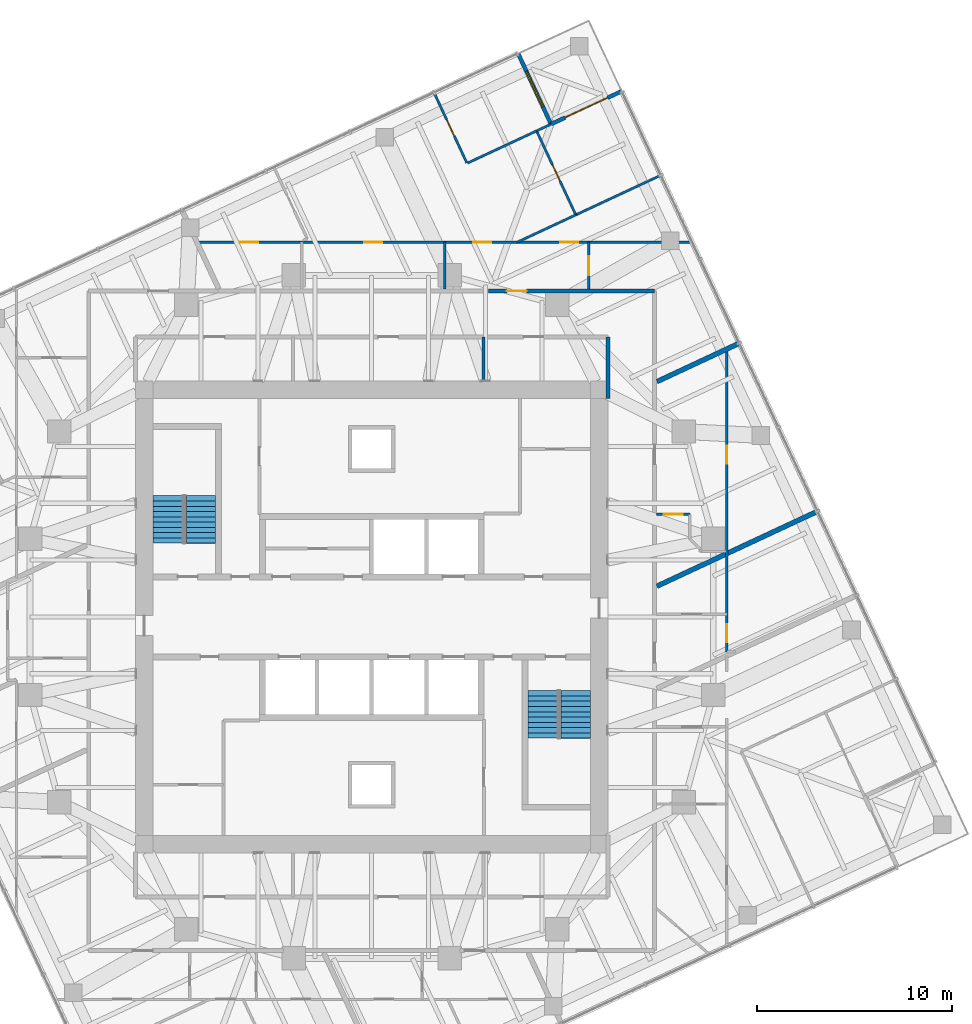
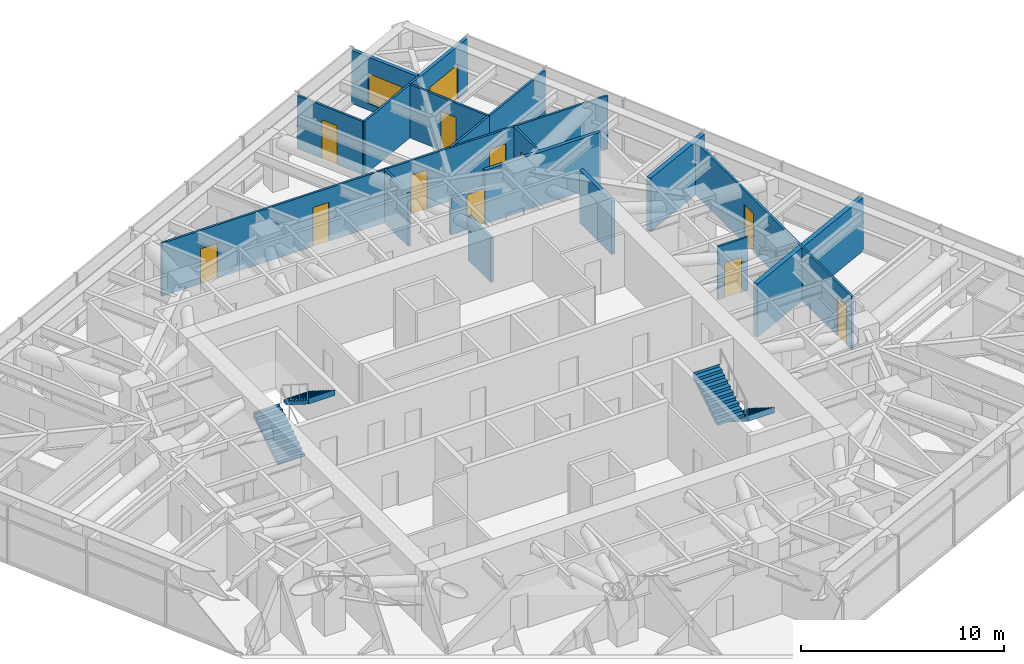
# One storey, part 14 of 16: 19 walls, 12 doors, 4 stair flights, 1 window, 13 openings, 2 elements without a shape of their own.
"""IFC4 building model written with IfcOpenShell, lengths in metres."""

from ifc_helpers import new_model, si_unit, direction, frame, frame_2d, origin, place, context, subcontext, project, spatial, polyline, rectangle, outline, extrude, material, layer, layer_set, type_object, element, fill, aggregate, save


model = new_model("IFC4")

# Units and contexts
model_context = context("Model", 3, precision=1e-05, world=origin(), true_north=direction((0.0, 1.0)))
body_context = subcontext(model_context, "Body", "Model", "MODEL_VIEW")
ifc_project = project(units=[si_unit("LENGTHUNIT", "METRE"), si_unit("AREAUNIT", "SQUARE_METRE"), si_unit("VOLUMEUNIT", "CUBIC_METRE"), si_unit("PLANEANGLEUNIT", "RADIAN"), si_unit("MASSUNIT", "GRAM", prefix="KILO")], contexts=[model_context])

# Site, building, storey
site_placement = place(None, origin())
site = spatial("IfcSite", under=ifc_project, at=site_placement, CompositionType="ELEMENT")
building_placement = place(site_placement, origin())
building = spatial("IfcBuilding", under=site, at=building_placement, Name="Torsade Residences", CompositionType="ELEMENT")
storey_placement = place(building_placement, frame((0.0, 0.0, 199.800048828125)))
storey = spatial("IfcBuildingStorey", under=building, at=storey_placement, Name="L55", CompositionType="ELEMENT", Elevation=199.800048828125)

# Wall
ifc_material_1 = material(Name="Plasterboard on steel stud", Category="steel")
ifc_layer_1 = layer(ifc_material_1, 0.199951171875)
ifc_layer_set_1 = layer_set([ifc_layer_1], Name="Plasterboard on steel stud")
wall_type_1 = type_object("IfcWallType", Name="CORRIDOR WALL 200", PredefinedType="PARTITIONING", material=ifc_layer_set_1)
wall_1_placement = place(storey_placement, frame((54.5, 46.699951171875, 0.0), z_axis=(0.0, 0.0, 1.0), x_axis=(-1.0, 0.0, 0.0)))
element("IfcWall", 1, at=wall_1_placement, inside=storey, type_object=wall_type_1, Name="Corridor wall L55", PredefinedType="PARTITIONING", context=body_context, shape_type="SweptSolid", body=[
    extrude(rectangle(XDim=6.558349609375, YDim=0.199951171875, at=frame_2d((3.279296875, 0.0))), origin(), (0.0, 0.0, 1.0), 3.199951171875),
])

# Wall, opening, door
wall_2_placement = place(storey_placement, frame((47.941650390625, 46.699951171875, 0.0), z_axis=(0.0, 0.0, 1.0), x_axis=(-1.0, 0.0, 0.0)))
wall_2 = element("IfcWall", 2, at=wall_2_placement, inside=storey, type_object=wall_type_1, Name="Corridor wall L55", PredefinedType="PARTITIONING", context=body_context, shape_type="SweptSolid", body=[
    extrude(rectangle(XDim=1.945068359375, YDim=0.199951171875, at=frame_2d((0.97265625, 0.0))), origin(), (0.0, 0.0, 1.0), 2.199951171875),
])
opening_1_placement = place(wall_2_placement, origin())
opening_1 = element("IfcOpeningElement", 3, at=opening_1_placement, cuts=wall_2, Name="Opening D01L", PredefinedType="OPENING", context=body_context, shape_type="SweptSolid", body=[
    extrude(rectangle(XDim=1.02001953125, YDim=2.10009765625, at=frame_2d((0.510009765625, 1.050048828125))), frame((0.0, 0.10986328125, 0.0), z_axis=(0.0, -1.0, 0.0), x_axis=(1.0, 0.0, 0.0)), (0.0, 0.0, 1.0), 0.219970703125),
])
ifc_material_2 = material(Name="Solid-core timber fire door", Category="wood")
door_type_1 = type_object("IfcDoorType", Name="APARTMENT ENTRY DOOR 1020x2100", OperationType="NOTDEFINED", PredefinedType="DOOR", material=ifc_material_2)
door_1_placement = place(opening_1_placement, origin())
door_1 = element("IfcDoor", 4, at=door_1_placement, inside=storey, type_object=door_type_1, Name="Door Residential corridor to Kitchen and dining", OperationType="SINGLE_SWING_LEFT", OverallHeight=2.10009765625, OverallWidth=1.02001953125, PredefinedType="DOOR", context=body_context, shape_type="SweptSolid", body=[
    extrude(rectangle(XDim=1.02001953125, YDim=2.10009765625, at=frame_2d((0.510009765625, 1.050048828125))), frame((0.0, 0.02490234375, 0.0), z_axis=(0.0, -1.0, 0.0), x_axis=(1.0, 0.0, 0.0)), (0.0, 0.0, 1.0), 0.050048828125),
])
fill(opening_1, door_1)

# Wall
wall_3_placement = place(storey_placement, frame((52.10009765625, 41.179931640625, 0.0), z_axis=(0.0, 0.0, 1.0), x_axis=(0.0, 1.0, 0.0)))
element("IfcWall", 5, at=wall_3_placement, inside=storey, type_object=wall_type_1, Name="Corridor wall L55", PredefinedType="PARTITIONING", context=body_context, shape_type="SweptSolid", body=[
    extrude(rectangle(XDim=3.170166015625, YDim=0.199951171875, at=frame_2d((1.5849609375, 0.0))), origin(), (0.0, 0.0, 1.0), 3.199951171875),
])

# Wall, openings, doors
ifc_material_3 = material(Name="Plasterboard on steel stud", Category="steel")
ifc_layer_2 = layer(ifc_material_3, 0.1201171875)
ifc_layer_set_2 = layer_set([ifc_layer_2], Name="Plasterboard on steel stud")
wall_type_2 = type_object("IfcWallType", Name="PARTITION 120", PredefinedType="PARTITIONING", material=ifc_layer_set_2)
wall_4_placement = place(storey_placement, frame((58.199951171875, 43.727783203125, 0.0), z_axis=(0.0, 0.0, 1.0), x_axis=(0.0, -1.0, 0.0)))
wall_4 = element("IfcWall", 6, at=wall_4_placement, inside=storey, type_object=wall_type_2, Name="Partition L55", PredefinedType="PARTITIONING", context=body_context, shape_type="SweptSolid", body=[
    extrude(rectangle(XDim=15.51318359375, YDim=0.1201171875, at=frame_2d((7.756591796875, 0.0))), origin(), (0.0, 0.0, 1.0), 3.199951171875),
])
opening_2_placement = place(wall_4_placement, frame((4.953857421875, 0.0, 0.0)))
opening_2 = element("IfcOpeningElement", 7, at=opening_2_placement, cuts=wall_4, Name="Opening D02", PredefinedType="OPENING", context=body_context, shape_type="SweptSolid", body=[
    extrude(rectangle(XDim=0.919921875, YDim=2.340087890625, at=frame_2d((0.4599609375, 1.169921875))), frame((0.0, 0.070068359375, 0.0), z_axis=(0.0, -1.0, 0.0), x_axis=(1.0, 0.0, 0.0)), (0.0, 0.0, 1.0), 0.14013671875),
])
opening_3_placement = place(wall_4_placement, frame((14.094970703125, 0.0, 0.0)))
opening_3 = element("IfcOpeningElement", 8, at=opening_3_placement, cuts=wall_4, Name="Opening D02", PredefinedType="OPENING", context=body_context, shape_type="SweptSolid", body=[
    extrude(rectangle(XDim=0.919921875, YDim=2.340087890625, at=frame_2d((0.4599609375, 1.169921875))), frame((0.0, 0.070068359375, 0.0), z_axis=(0.0, -1.0, 0.0), x_axis=(1.0, 0.0, 0.0)), (0.0, 0.0, 1.0), 0.14013671875),
])
ifc_material_4 = material(Name="Hollow-core timber door", Category="wood")
door_type_2 = type_object("IfcDoorType", Name="INTERNAL DOOR 920x2340", OperationType="NOTDEFINED", PredefinedType="DOOR", material=ifc_material_4)
door_2_placement = place(opening_2_placement, origin())
door_2 = element("IfcDoor", 9, at=door_2_placement, inside=storey, type_object=door_type_2, Name="Door Kitchen and dining to Studio living and sleeping", OperationType="SINGLE_SWING_RIGHT", OverallHeight=2.340087890625, OverallWidth=0.919921875, PredefinedType="DOOR", context=body_context, shape_type="SweptSolid", body=[
    extrude(rectangle(XDim=0.919921875, YDim=2.340087890625, at=frame_2d((0.4599609375, 1.169921875))), frame((0.0, 0.02490234375, 0.0), z_axis=(0.0, -1.0, 0.0), x_axis=(1.0, 0.0, 0.0)), (0.0, 0.0, 1.0), 0.050048828125),
])
fill(opening_2, door_2)
door_3_placement = place(opening_3_placement, origin())
door_3 = element("IfcDoor", 10, at=door_3_placement, inside=storey, type_object=door_type_2, Name="Door Kitchen and dining to Studio living and sleeping", OperationType="SINGLE_SWING_RIGHT", OverallHeight=2.340087890625, OverallWidth=0.919921875, PredefinedType="DOOR", context=body_context, shape_type="SweptSolid", body=[
    extrude(rectangle(XDim=0.919921875, YDim=2.340087890625, at=frame_2d((0.4599609375, 1.169921875))), frame((0.0, 0.02490234375, 0.0), z_axis=(0.0, -1.0, 0.0), x_axis=(1.0, 0.0, 0.0)), (0.0, 0.0, 1.0), 0.050048828125),
])
fill(opening_3, door_3)

# Wall, opening, door
wall_5_placement = place(storey_placement, frame((56.300048828125, 35.259765625, 0.0), z_axis=(0.0, 0.0, 1.0), x_axis=(-1.0, 0.0, 0.0)))
wall_5 = element("IfcWall", 11, at=wall_5_placement, inside=storey, type_object=wall_type_2, Name="Partition L55", PredefinedType="PARTITIONING", context=body_context, shape_type="SweptSolid", body=[
    extrude(rectangle(XDim=1.699951171875, YDim=0.1201171875, at=frame_2d((0.85009765625, 0.0))), origin(), (0.0, 0.0, 1.0), 3.199951171875),
])
opening_4_placement = place(wall_5_placement, frame((0.3701171875, 0.0, 0.0)))
opening_4 = element("IfcOpeningElement", 12, at=opening_4_placement, cuts=wall_5, Name="Opening D05", PredefinedType="OPENING", context=body_context, shape_type="SweptSolid", body=[
    extrude(rectangle(XDim=0.9599609375, YDim=2.10009765625, at=frame_2d((0.47998046875, 1.050048828125))), frame((0.0, 0.070068359375, 0.0), z_axis=(0.0, -1.0, 0.0), x_axis=(1.0, 0.0, 0.0)), (0.0, 0.0, 1.0), 0.14013671875),
])
ifc_material_5 = material(Name="Hollow-core timber door in a steel cavity frame", Category="steel")
door_type_3 = type_object("IfcDoorType", Name="BATHROOM CAVITY SLIDING DOOR 960", OperationType="SLIDING_TO_LEFT", PredefinedType="DOOR", material=ifc_material_5)
door_4_placement = place(opening_4_placement, origin())
door_4 = element("IfcDoor", 13, at=door_4_placement, inside=storey, type_object=door_type_3, Name="Door Kitchen and dining to Bathroom", OperationType="SLIDING_TO_LEFT", OverallHeight=2.10009765625, OverallWidth=0.9599609375, PredefinedType="DOOR", context=body_context, shape_type="SweptSolid", body=[
    extrude(rectangle(XDim=0.9599609375, YDim=2.10009765625, at=frame_2d((0.47998046875, 1.050048828125))), frame((0.0, 0.02490234375, 0.0), z_axis=(0.0, -1.0, 0.0), x_axis=(1.0, 0.0, 0.0)), (0.0, 0.0, 1.0), 0.050048828125),
])
fill(opening_4, door_4)

wall_6_placement = place(storey_placement, frame((51.115966796875, 46.800048828125, 0.0), z_axis=(0.0, 0.0, 1.0), x_axis=(0.0, 1.0, 0.0)))
wall_6 = element("IfcWall", 14, at=wall_6_placement, inside=storey, type_object=wall_type_2, Name="Partition L55", PredefinedType="PARTITIONING", context=body_context, shape_type="SweptSolid", body=[
    extrude(rectangle(XDim=2.39990234375, YDim=0.1201171875, at=frame_2d((1.199951171875, 0.0))), origin(), (0.0, 0.0, 1.0), 3.199951171875),
])
opening_5_placement = place(wall_6_placement, frame((0.719970703125, 0.0, 0.0)))
opening_5 = element("IfcOpeningElement", 15, at=opening_5_placement, cuts=wall_6, Name="Opening D05", PredefinedType="OPENING", context=body_context, shape_type="SweptSolid", body=[
    extrude(rectangle(XDim=0.9599609375, YDim=2.10009765625, at=frame_2d((0.47998046875, 1.050048828125))), frame((0.0, 0.070068359375, 0.0), z_axis=(0.0, -1.0, 0.0), x_axis=(1.0, 0.0, 0.0)), (0.0, 0.0, 1.0), 0.14013671875),
])
door_5_placement = place(opening_5_placement, origin())
door_5 = element("IfcDoor", 16, at=door_5_placement, inside=storey, type_object=door_type_3, Name="Door Kitchen and dining to Bathroom", OperationType="SLIDING_TO_LEFT", OverallHeight=2.10009765625, OverallWidth=0.9599609375, PredefinedType="DOOR", context=body_context, shape_type="SweptSolid", body=[
    extrude(rectangle(XDim=0.9599609375, YDim=2.10009765625, at=frame_2d((0.47998046875, 1.050048828125))), frame((0.0, 0.02490234375, 0.0), z_axis=(0.0, -1.0, 0.0), x_axis=(1.0, 0.0, 0.0)), (0.0, 0.0, 1.0), 0.050048828125),
])
fill(opening_5, door_5)

# Wall, openings, doors
wall_7_placement = place(storey_placement, frame((31.046875, 49.199951171875, 0.0), z_axis=(0.0, 0.0, 1.0), x_axis=(1.0, 0.0, 0.0)))
wall_7 = element("IfcWall", 17, at=wall_7_placement, inside=storey, type_object=wall_type_2, Name="Partition L55", PredefinedType="PARTITIONING", context=body_context, shape_type="SweptSolid", body=[
    extrude(rectangle(XDim=25.33349609375, YDim=0.1201171875, at=frame_2d((12.666748046875, 0.0))), origin(), (0.0, 0.0, 1.0), 3.199951171875),
])
opening_6_placement = place(wall_7_placement, frame((14.154052734375, 0.0, 0.0)))
opening_6 = element("IfcOpeningElement", 18, at=opening_6_placement, cuts=wall_7, Name="Opening D02", PredefinedType="OPENING", context=body_context, shape_type="SweptSolid", body=[
    extrude(rectangle(XDim=0.919921875, YDim=2.340087890625, at=frame_2d((0.4599609375, 1.169921875))), frame((0.0, 0.070068359375, 0.0), z_axis=(0.0, -1.0, 0.0), x_axis=(1.0, 0.0, 0.0)), (0.0, 0.0, 1.0), 0.14013671875),
])
opening_7_placement = place(wall_7_placement, frame((18.619873046875, 0.0, 0.0)))
opening_7 = element("IfcOpeningElement", 19, at=opening_7_placement, cuts=wall_7, Name="Opening D02", PredefinedType="OPENING", context=body_context, shape_type="SweptSolid", body=[
    extrude(rectangle(XDim=0.919921875, YDim=2.340087890625, at=frame_2d((0.4599609375, 1.169921875))), frame((0.0, 0.070068359375, 0.0), z_axis=(0.0, -1.0, 0.0), x_axis=(1.0, 0.0, 0.0)), (0.0, 0.0, 1.0), 0.14013671875),
])
opening_8_placement = place(wall_7_placement, frame((8.575927734375, 0.0, 0.0)))
opening_8 = element("IfcOpeningElement", 20, at=opening_8_placement, cuts=wall_7, Name="Opening D02", PredefinedType="OPENING", context=body_context, shape_type="SweptSolid", body=[
    extrude(rectangle(XDim=0.919921875, YDim=2.340087890625, at=frame_2d((0.4599609375, 1.169921875))), frame((0.0, 0.070068359375, 0.0), z_axis=(0.0, -1.0, 0.0), x_axis=(1.0, 0.0, 0.0)), (0.0, 0.0, 1.0), 0.14013671875),
])
opening_9_placement = place(wall_7_placement, frame((2.1904296875, 0.0, 0.0)))
opening_9 = element("IfcOpeningElement", 21, at=opening_9_placement, cuts=wall_7, Name="Opening D05", PredefinedType="OPENING", context=body_context, shape_type="SweptSolid", body=[
    extrude(rectangle(XDim=0.9599609375, YDim=2.10009765625, at=frame_2d((0.47998046875, 1.050048828125))), frame((0.0, 0.070068359375, 0.0), z_axis=(0.0, -1.0, 0.0), x_axis=(1.0, 0.0, 0.0)), (0.0, 0.0, 1.0), 0.14013671875),
])
door_6_placement = place(opening_9_placement, origin())
door_6 = element("IfcDoor", 22, at=door_6_placement, inside=storey, type_object=door_type_3, Name="Door Study 2 to Ensuite", OperationType="SLIDING_TO_LEFT", OverallHeight=2.10009765625, OverallWidth=0.9599609375, PredefinedType="DOOR", context=body_context, shape_type="SweptSolid", body=[
    extrude(rectangle(XDim=0.9599609375, YDim=2.10009765625, at=frame_2d((0.47998046875, 1.050048828125))), frame((0.0, 0.02490234375, 0.0), z_axis=(0.0, -1.0, 0.0), x_axis=(1.0, 0.0, 0.0)), (0.0, 0.0, 1.0), 0.050048828125),
])
fill(opening_9, door_6)
door_7_placement = place(opening_6_placement, origin())
door_7 = element("IfcDoor", 23, at=door_7_placement, inside=storey, type_object=door_type_2, Name="Door Kitchen and dining to Living room", OperationType="SINGLE_SWING_RIGHT", OverallHeight=2.340087890625, OverallWidth=0.919921875, PredefinedType="DOOR", context=body_context, shape_type="SweptSolid", body=[
    extrude(rectangle(XDim=0.919921875, YDim=2.340087890625, at=frame_2d((0.4599609375, 1.169921875))), frame((0.0, 0.02490234375, 0.0), z_axis=(0.0, -1.0, 0.0), x_axis=(1.0, 0.0, 0.0)), (0.0, 0.0, 1.0), 0.050048828125),
])
fill(opening_6, door_7)
door_8_placement = place(opening_7_placement, origin())
door_8 = element("IfcDoor", 24, at=door_8_placement, inside=storey, type_object=door_type_2, Name="Door Kitchen and dining to Bedroom 3", OperationType="SINGLE_SWING_LEFT", OverallHeight=2.340087890625, OverallWidth=0.919921875, PredefinedType="DOOR", context=body_context, shape_type="SweptSolid", body=[
    extrude(rectangle(XDim=0.919921875, YDim=2.340087890625, at=frame_2d((0.4599609375, 1.169921875))), frame((0.0, 0.02490234375, 0.0), z_axis=(0.0, -1.0, 0.0), x_axis=(1.0, 0.0, 0.0)), (0.0, 0.0, 1.0), 0.050048828125),
])
fill(opening_7, door_8)
door_9_placement = place(opening_8_placement, origin())
door_9 = element("IfcDoor", 25, at=door_9_placement, inside=storey, type_object=door_type_2, Name="Door Living room to Study", OperationType="SINGLE_SWING_LEFT", OverallHeight=2.340087890625, OverallWidth=0.919921875, PredefinedType="DOOR", context=body_context, shape_type="SweptSolid", body=[
    extrude(rectangle(XDim=0.919921875, YDim=2.340087890625, at=frame_2d((0.4599609375, 1.169921875))), frame((0.0, 0.02490234375, 0.0), z_axis=(0.0, -1.0, 0.0), x_axis=(1.0, 0.0, 0.0)), (0.0, 0.0, 1.0), 0.050048828125),
])
fill(opening_8, door_9)

# Wall
wall_8_placement = place(storey_placement, frame((43.74755859375, 46.800048828125, 0.0), z_axis=(0.0, 0.0, 1.0), x_axis=(0.0, 1.0, 0.0)))
element("IfcWall", 26, at=wall_8_placement, inside=storey, type_object=wall_type_2, Name="Partition L55", PredefinedType="PARTITIONING", context=body_context, shape_type="SweptSolid", body=[
    extrude(rectangle(XDim=2.39990234375, YDim=0.1201171875, at=frame_2d((1.199951171875, 0.0))), origin(), (0.0, 0.0, 1.0), 3.199951171875),
])

# Wall, opening, door
wall_9_placement = place(storey_placement, frame((48.45068359375, 54.90478515625, 0.0), z_axis=(0.0, 0.0, 1.0), x_axis=(0.422601250227, -0.906315719442, 0.0)))
wall_9 = element("IfcWall", 27, at=wall_9_placement, inside=storey, type_object=wall_type_2, Name="Partition L55", PredefinedType="PARTITIONING", context=body_context, shape_type="SweptSolid", body=[
    extrude(rectangle(XDim=4.75, YDim=0.1201171875, at=frame_2d((2.375, 0.0))), origin(), (0.0, 0.0, 1.0), 3.199951171875),
])
opening_10_placement = place(wall_9_placement, frame((1.9150390625, 0.0, 0.0)))
opening_10 = element("IfcOpeningElement", 28, at=opening_10_placement, cuts=wall_9, Name="Opening D02", PredefinedType="OPENING", context=body_context, shape_type="SweptSolid", body=[
    extrude(rectangle(XDim=0.919921875, YDim=2.340087890625, at=frame_2d((0.4599609375, 1.169921875))), frame((0.0, 0.070068359375, 0.0), z_axis=(0.0, -1.0, 0.0), x_axis=(1.0, 0.0, 0.0)), (0.0, 0.0, 1.0), 0.14013671875),
])
door_10_placement = place(opening_10_placement, origin())
door_10 = element("IfcDoor", 29, at=door_10_placement, inside=storey, type_object=door_type_2, Name="Door Living room to Bedroom 1", OperationType="SINGLE_SWING_RIGHT", OverallHeight=2.340087890625, OverallWidth=0.919921875, PredefinedType="DOOR", context=body_context, shape_type="SweptSolid", body=[
    extrude(rectangle(XDim=0.919921875, YDim=2.340087890625, at=frame_2d((0.4599609375, 1.169921875))), frame((0.0, 0.02490234375, 0.0), z_axis=(0.0, -1.0, 0.0), x_axis=(1.0, 0.0, 0.0)), (0.0, 0.0, 1.0), 0.050048828125),
])
fill(opening_10, door_10)

wall_10_placement = place(storey_placement, frame((43.21142578125, 56.8310546875, 0.0), z_axis=(0.0, 0.0, 1.0), x_axis=(0.422671204118, -0.906283097718, 0.0)))
wall_10 = element("IfcWall", 30, at=wall_10_placement, inside=storey, type_object=wall_type_2, Name="Partition L55", PredefinedType="PARTITIONING", context=body_context, shape_type="SweptSolid", body=[
    extrude(rectangle(XDim=3.93017578125, YDim=0.1201171875, at=frame_2d((1.965087890625, 0.0))), origin(), (0.0, 0.0, 1.0), 3.199951171875),
])
opening_11_placement = place(wall_10_placement, frame((1.485107421875, 0.0, 0.0)))
opening_11 = element("IfcOpeningElement", 31, at=opening_11_placement, cuts=wall_10, Name="Opening D02", PredefinedType="OPENING", context=body_context, shape_type="SweptSolid", body=[
    extrude(rectangle(XDim=0.919921875, YDim=2.340087890625, at=frame_2d((0.4599609375, 1.169921875))), frame((0.0, 0.070068359375, 0.0), z_axis=(0.0, -1.0, 0.0), x_axis=(1.0, 0.0, 0.0)), (0.0, 0.0, 1.0), 0.14013671875),
])
door_11_placement = place(opening_11_placement, origin())
door_11 = element("IfcDoor", 32, at=door_11_placement, inside=storey, type_object=door_type_2, Name="Door Living room to Bedroom 2", OperationType="SINGLE_SWING_RIGHT", OverallHeight=2.340087890625, OverallWidth=0.919921875, PredefinedType="DOOR", context=body_context, shape_type="SweptSolid", body=[
    extrude(rectangle(XDim=0.919921875, YDim=2.340087890625, at=frame_2d((0.4599609375, 1.169921875))), frame((0.0, 0.02490234375, 0.0), z_axis=(0.0, -1.0, 0.0), x_axis=(1.0, 0.0, 0.0)), (0.0, 0.0, 1.0), 0.050048828125),
])
fill(opening_11, door_11)

# Walls
wall_11_placement = place(storey_placement, frame((44.912353515625, 53.2548828125, 0.0), z_axis=(0.0, 0.0, 1.0), x_axis=(0.906312776101, 0.422607562492, 0.0)))
element("IfcWall", 33, at=wall_11_placement, inside=storey, type_object=wall_type_2, Name="Partition L55", PredefinedType="PARTITIONING", context=body_context, shape_type="SweptSolid", body=[
    extrude(rectangle(XDim=3.94384765625, YDim=0.1201171875, at=frame_2d((1.971923828125, 0.0))), origin(), (0.0, 0.0, 1.0), 3.199951171875),
])
wall_12_placement = place(storey_placement, frame((50.452392578125, 50.59716796875, 0.0), z_axis=(0.0, 0.0, 1.0), x_axis=(-0.906307614177, -0.42261863244, 0.0)))
element("IfcWall", 34, at=wall_12_placement, inside=storey, type_object=wall_type_2, Name="Partition L55", PredefinedType="PARTITIONING", context=body_context, shape_type="SweptSolid", body=[
    extrude(rectangle(XDim=3.30615234375, YDim=0.1201171875, at=frame_2d((1.653076171875, 0.0))), origin(), (0.0, 0.0, 1.0), 3.199951171875),
])
wall_13_placement = place(storey_placement, frame((48.46875, 54.913330078125, 0.0), z_axis=(0.0, 0.0, 1.0), x_axis=(0.906364601965, 0.422496400346, 0.0)))
element("IfcWall", 35, at=wall_13_placement, inside=storey, type_object=wall_type_2, Name="Partition L55", PredefinedType="PARTITIONING", context=body_context, shape_type="SweptSolid", body=[
    extrude(rectangle(XDim=0.755859375, YDim=0.1201171875, at=frame_2d((0.3779296875, 0.0))), origin(), (0.0, 0.0, 1.0), 3.199951171875),
])
wall_14_placement = place(storey_placement, frame((54.78662109375, 52.6181640625, 0.0), z_axis=(0.0, 0.0, 1.0), x_axis=(-0.906305189824, -0.422623831436, 0.0)))
element("IfcWall", 36, at=wall_14_placement, inside=storey, type_object=wall_type_2, Name="Partition L55", PredefinedType="PARTITIONING", context=body_context, shape_type="SweptSolid", body=[
    extrude(rectangle(XDim=4.80224609375, YDim=0.1201171875, at=frame_2d((2.401123046875, 0.0))), origin(), (0.0, 0.0, 1.0), 3.199951171875),
])
ifc_material_6 = material(Name="Masonry-lined stud party wall", Category="masonry")
ifc_layer_3 = layer(ifc_material_6, 0.25)
ifc_layer_set_3 = layer_set([ifc_layer_3], Name="Masonry-lined stud party wall")
wall_type_3 = type_object("IfcWallType", Name="PARTY WALL 250", PredefinedType="PARTITIONING", material=ifc_layer_set_3)
wall_15_placement = place(storey_placement, frame((62.8525390625, 35.415283203125, 0.0), z_axis=(0.0, 0.0, 1.0), x_axis=(-0.90630664327, -0.422620714548, 0.0)))
element("IfcWall", 37, at=wall_15_placement, inside=storey, type_object=wall_type_3, Name="Party wall L55", PredefinedType="PARTITIONING", context=body_context, shape_type="SweptSolid", body=[
    extrude(rectangle(XDim=9.087646484375, YDim=0.25, at=frame_2d((4.5439453125, 0.0))), origin(), (0.0, 0.0, 1.0), 3.199951171875),
])
wall_16_placement = place(storey_placement, frame((58.837646484375, 44.025146484375, 0.0), z_axis=(0.0, 0.0, 1.0), x_axis=(-0.906317010604, -0.422598481173, 0.0)))
element("IfcWall", 38, at=wall_16_placement, inside=storey, type_object=wall_type_3, Name="Party wall L55", PredefinedType="PARTITIONING", context=body_context, shape_type="SweptSolid", body=[
    extrude(rectangle(XDim=4.657470703125, YDim=0.25, at=frame_2d((2.32861328125, 0.0))), origin(), (0.0, 0.0, 1.0), 3.199951171875),
])
ifc_material_7 = material(Name="Reinforced blockwork", Category="masonry")
ifc_layer_4 = layer(ifc_material_7, 0.14990234375)
ifc_layer_set_4 = layer_set([ifc_layer_4], Name="Reinforced blockwork")
wall_type_4 = type_object("IfcWallType", Name="SERVICE ROOM WALL 150", PredefinedType="SOLIDWALL", material=ifc_layer_set_4)
wall_17_placement = place(storey_placement, frame((45.7353515625, 42.10009765625, 0.0), z_axis=(0.0, 0.0, 1.0), x_axis=(0.0, 1.0, 0.0)))
element("IfcWall", 39, at=wall_17_placement, inside=storey, type_object=wall_type_4, Name="Service room wall L55", PredefinedType="SOLIDWALL", context=body_context, shape_type="SweptSolid", body=[
    extrude(rectangle(XDim=2.25, YDim=0.14990234375, at=frame_2d((1.125, 0.0))), origin(), (0.0, 0.0, 1.0), 2.6708984375),
])

# Wall, opening, door
ifc_material_8 = material(Name="Stone-faced precast concrete 40 MPa panel", Category="masonry")
ifc_layer_5 = layer(ifc_material_8, 0.199951171875)
ifc_layer_set_5 = layer_set([ifc_layer_5], Name="Stone-faced precast concrete 40 MPa panel")
wall_type_5 = type_object("IfcWallType", Name="TERRACE WALL 200", PredefinedType="SOLIDWALL", material=ifc_layer_set_5)
wall_18_placement = place(storey_placement, frame((52.8154296875, 56.940185546875, 0.0), z_axis=(0.0, 0.0, 1.0), x_axis=(-0.906289140828, -0.422658246362, 0.0)))
wall_18 = element("IfcWall", 40, at=wall_18_placement, inside=storey, type_object=wall_type_5, Name="Terrace wall L55 5", PredefinedType="SOLIDWALL", context=body_context, shape_type="SweptSolid", body=[
    extrude(rectangle(XDim=4.0, YDim=0.199951171875, at=frame_2d((2.0, 0.0))), origin(), (0.0, 0.0, 1.0), 3.199951171875),
])
opening_12_placement = place(wall_18_placement, frame((0.800048828125, 0.0, 0.0)))
opening_12 = element("IfcOpeningElement", 41, at=opening_12_placement, cuts=wall_18, Name="Opening D10A", PredefinedType="OPENING", context=body_context, shape_type="SweptSolid", body=[
    extrude(rectangle(XDim=2.39990234375, YDim=2.10009765625, at=frame_2d((1.199951171875, 1.050048828125))), frame((0.0, 0.10986328125, 0.0), z_axis=(0.0, -1.0, 0.0), x_axis=(1.0, 0.0, 0.0)), (0.0, 0.0, 1.0), 0.219970703125),
])
ifc_material_9 = material(Name="Aluminium-framed glass door", Category="aluminium")
door_type_4 = type_object("IfcDoorType", Name="TERRACE SLIDING DOOR 2400x2100", OperationType="SLIDING_TO_LEFT", PredefinedType="DOOR", material=ifc_material_9)
door_12_placement = place(opening_12_placement, origin())
door_12 = element("IfcDoor", 42, at=door_12_placement, inside=storey, type_object=door_type_4, Name="Terrace door L55 5", OperationType="SLIDING_TO_LEFT", OverallHeight=2.10009765625, OverallWidth=2.39990234375, PredefinedType="DOOR", context=body_context, shape_type="SweptSolid", body=[
    extrude(rectangle(XDim=2.39990234375, YDim=2.10009765625, at=frame_2d((1.199951171875, 1.050048828125))), frame((0.0, 0.02490234375, 0.0), z_axis=(0.0, -1.0, 0.0), x_axis=(1.0, 0.0, 0.0)), (0.0, 0.0, 1.0), 0.050048828125),
])
fill(opening_12, door_12)

# Wall, opening, window
wall_19_placement = place(storey_placement, frame((49.190185546875, 55.24951171875, 0.0), z_axis=(0.0, 0.0, 1.0), x_axis=(-0.422658246362, 0.906289140828, 0.0)))
wall_19 = element("IfcWall", 43, at=wall_19_placement, inside=storey, type_object=wall_type_5, Name="Terrace wall L55 6", PredefinedType="SOLIDWALL", context=body_context, shape_type="SweptSolid", body=[
    extrude(rectangle(XDim=4.0, YDim=0.199951171875, at=frame_2d((2.0, 0.0))), origin(), (0.0, 0.0, 1.0), 3.199951171875),
])
opening_13_placement = place(wall_19_placement, frame((1.0, 0.0, 0.39990234375)))
opening_13 = element("IfcOpeningElement", 44, at=opening_13_placement, cuts=wall_19, Name="Opening W1B", PredefinedType="OPENING", context=body_context, shape_type="SweptSolid", body=[
    extrude(rectangle(XDim=2.0, YDim=1.800048828125, at=frame_2d((1.0, 0.89990234375))), frame((0.0, 0.10986328125, 0.0), z_axis=(0.0, -1.0, 0.0), x_axis=(1.0, 0.0, 0.0)), (0.0, 0.0, 1.0), 0.219970703125),
])
ifc_material_10 = material(Name="Aluminium-framed glass window", Category="aluminium")
window_type = type_object("IfcWindowType", Name="TERRACE WINDOW 2000x1800", PartitioningType="SINGLE_PANEL", PredefinedType="WINDOW", material=ifc_material_10)
window_placement = place(opening_13_placement, origin())
window = element("IfcWindow", 45, at=window_placement, inside=storey, type_object=window_type, Name="Terrace window L55 6", OverallHeight=1.800048828125, OverallWidth=2.0, PartitioningType="SINGLE_PANEL", PredefinedType="WINDOW", context=body_context, shape_type="SweptSolid", body=[
    extrude(rectangle(XDim=2.0, YDim=1.800048828125, at=frame_2d((1.0, 0.89990234375))), frame((0.0, 0.030029296875, 0.0), z_axis=(0.0, -1.0, 0.0), x_axis=(1.0, 0.0, 0.0)), (0.0, 0.0, 1.0), 0.06005859375),
])
fill(opening_13, window)

# Stair, stair flights
ifc_material_11 = material(Name="Precast concrete 40 MPa", Category="concrete")
stair_type = type_object("IfcStairType", Name="HALF-TURN FIRE STAIR 1500x3400", PredefinedType="HALF_TURN_STAIR", material=ifc_material_11)
stair_1_placement = place(storey_placement, origin())
stair_1 = element("IfcStair", 46, at=stair_1_placement, inside=storey, type_object=stair_type, Name="Stair ST1 L55", PredefinedType="HALF_TURN_STAIR")
ifc_material_12 = material(Name="Precast concrete 40 MPa", Category="concrete")
stair_flight_type = type_object("IfcStairFlightType", Name="PRECAST STAIR FLIGHT 1500x1700", PredefinedType="STRAIGHT", material=ifc_material_12)
stair_flight_1_placement = place(storey_placement, frame((29.550048828125, 33.780029296875, 0.0), z_axis=(0.0, 0.0, 1.0), x_axis=(0.0, 1.0, 0.0)))
stair_flight_1 = element("IfcStairFlight", 47, at=stair_flight_1_placement, type_object=stair_flight_type, Name="ST1 flight 1", NumberOfRisers=10, NumberOfTreads=9, PredefinedType="STRAIGHT", RiserHeight=0.17, TreadLength=0.27, context=body_context, shape_type="SweptSolid", body=[
    extrude(outline(polyline([(0.0, 0.0), (0.0, 0.169921875), (0.27001953125, 0.169921875), (0.27001953125, 0.340087890625), (0.5400390625, 0.340087890625), (0.5400390625, 0.510009765625), (0.81005859375, 0.510009765625), (0.81005859375, 0.679931640625), (1.080078125, 0.679931640625), (1.080078125, 0.85009765625), (1.35009765625, 0.85009765625), (1.35009765625, 1.02001953125), (1.6201171875, 1.02001953125), (1.6201171875, 1.18994140625), (1.889892578125, 1.18994140625), (1.889892578125, 1.360107421875), (2.159912109375, 1.360107421875), (2.159912109375, 1.530029296875), (2.429931640625, 1.530029296875), (2.429931640625, 1.699951171875), (2.43994140625, 1.699951171875), (2.43994140625, 1.352783203125), (2.429931640625, 1.352783203125), (0.28125, 0.0), (0.0, 0.0)])), frame((0.0, 0.75, 0.0), z_axis=(0.0, -1.0, 0.0), x_axis=(1.0, 0.0, 0.0)), (0.0, 0.0, 1.0), 1.5),
])
stair_flight_2_placement = place(storey_placement, frame((31.25, 36.2099609375, 1.699951171875), z_axis=(0.0, 0.0, 1.0), x_axis=(0.0, -1.0, 0.0)))
stair_flight_2 = element("IfcStairFlight", 48, at=stair_flight_2_placement, type_object=stair_flight_type, Name="ST1 flight 2", NumberOfRisers=10, NumberOfTreads=9, PredefinedType="STRAIGHT", RiserHeight=0.17, TreadLength=0.27, context=body_context, shape_type="SweptSolid", body=[
    extrude(outline(polyline([(0.0, 0.0), (0.0, 0.169921875), (0.27001953125, 0.169921875), (0.27001953125, 0.340087890625), (0.5400390625, 0.340087890625), (0.5400390625, 0.510009765625), (0.81005859375, 0.510009765625), (0.81005859375, 0.679931640625), (1.080078125, 0.679931640625), (1.080078125, 0.85009765625), (1.35009765625, 0.85009765625), (1.35009765625, 1.02001953125), (1.6201171875, 1.02001953125), (1.6201171875, 1.18994140625), (1.889892578125, 1.18994140625), (1.889892578125, 1.360107421875), (2.159912109375, 1.360107421875), (2.159912109375, 1.530029296875), (2.429931640625, 1.530029296875), (2.429931640625, 1.699951171875), (2.43994140625, 1.699951171875), (2.43994140625, 1.352783203125), (2.429931640625, 1.352783203125), (0.28125, 0.0), (0.0, 0.0)])), frame((0.0, 0.75, 0.0), z_axis=(0.0, -1.0, 0.0), x_axis=(1.0, 0.0, 0.0)), (0.0, 0.0, 1.0), 1.5),
])
aggregate(stair_1, [stair_flight_1, stair_flight_2])

stair_2_placement = place(storey_placement, origin())
stair_2 = element("IfcStair", 49, at=stair_2_placement, inside=storey, type_object=stair_type, Name="Stair ST2 L55", PredefinedType="HALF_TURN_STAIR")
stair_flight_3_placement = place(storey_placement, frame((50.449951171875, 26.219970703125, 0.0), z_axis=(0.0, 0.0, 1.0), x_axis=(0.0, -1.0, 0.0)))
stair_flight_3 = element("IfcStairFlight", 50, at=stair_flight_3_placement, type_object=stair_flight_type, Name="ST2 flight 1", NumberOfRisers=10, NumberOfTreads=9, PredefinedType="STRAIGHT", RiserHeight=0.17, TreadLength=0.27, context=body_context, shape_type="SweptSolid", body=[
    extrude(outline(polyline([(0.0, 0.0), (0.0, 0.169921875), (0.27001953125, 0.169921875), (0.27001953125, 0.340087890625), (0.5400390625, 0.340087890625), (0.5400390625, 0.510009765625), (0.81005859375, 0.510009765625), (0.81005859375, 0.679931640625), (1.080078125, 0.679931640625), (1.080078125, 0.85009765625), (1.35009765625, 0.85009765625), (1.35009765625, 1.02001953125), (1.6201171875, 1.02001953125), (1.6201171875, 1.18994140625), (1.889892578125, 1.18994140625), (1.889892578125, 1.360107421875), (2.159912109375, 1.360107421875), (2.159912109375, 1.530029296875), (2.429931640625, 1.530029296875), (2.429931640625, 1.699951171875), (2.43994140625, 1.699951171875), (2.43994140625, 1.352783203125), (2.429931640625, 1.352783203125), (0.28125, 0.0), (0.0, 0.0)])), frame((0.0, 0.75, 0.0), z_axis=(0.0, -1.0, 0.0), x_axis=(1.0, 0.0, 0.0)), (0.0, 0.0, 1.0), 1.5),
])
stair_flight_4_placement = place(storey_placement, frame((48.75, 23.7900390625, 1.699951171875), z_axis=(0.0, 0.0, 1.0), x_axis=(0.0, 1.0, 0.0)))
stair_flight_4 = element("IfcStairFlight", 51, at=stair_flight_4_placement, type_object=stair_flight_type, Name="ST2 flight 2", NumberOfRisers=10, NumberOfTreads=9, PredefinedType="STRAIGHT", RiserHeight=0.17, TreadLength=0.27, context=body_context, shape_type="SweptSolid", body=[
    extrude(outline(polyline([(0.0, 0.0), (0.0, 0.169921875), (0.27001953125, 0.169921875), (0.27001953125, 0.340087890625), (0.5400390625, 0.340087890625), (0.5400390625, 0.510009765625), (0.81005859375, 0.510009765625), (0.81005859375, 0.679931640625), (1.080078125, 0.679931640625), (1.080078125, 0.85009765625), (1.35009765625, 0.85009765625), (1.35009765625, 1.02001953125), (1.6201171875, 1.02001953125), (1.6201171875, 1.18994140625), (1.889892578125, 1.18994140625), (1.889892578125, 1.360107421875), (2.159912109375, 1.360107421875), (2.159912109375, 1.530029296875), (2.429931640625, 1.530029296875), (2.429931640625, 1.699951171875), (2.43994140625, 1.699951171875), (2.43994140625, 1.352783203125), (2.429931640625, 1.352783203125), (0.28125, 0.0), (0.0, 0.0)])), frame((0.0, 0.75, 0.0), z_axis=(0.0, -1.0, 0.0), x_axis=(1.0, 0.0, 0.0)), (0.0, 0.0, 1.0), 1.5),
])
aggregate(stair_2, [stair_flight_3, stair_flight_4])

save(model, "model.ifc")
